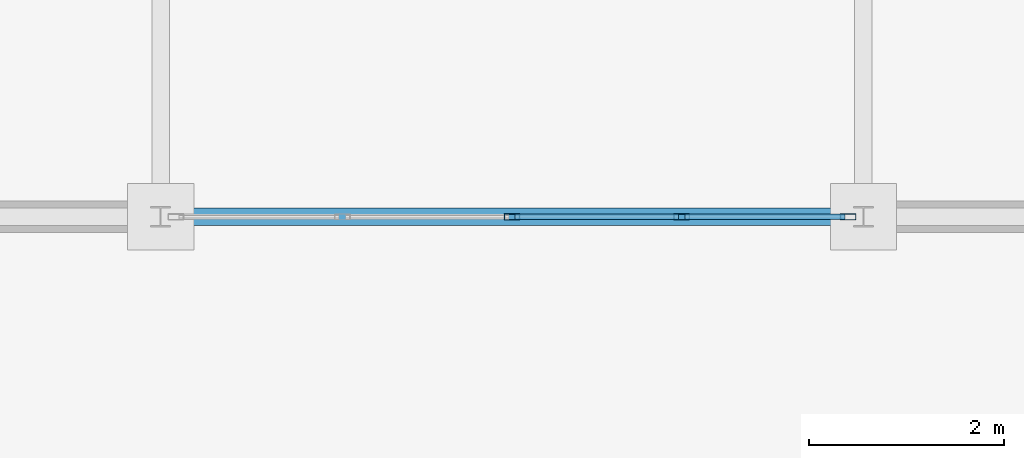
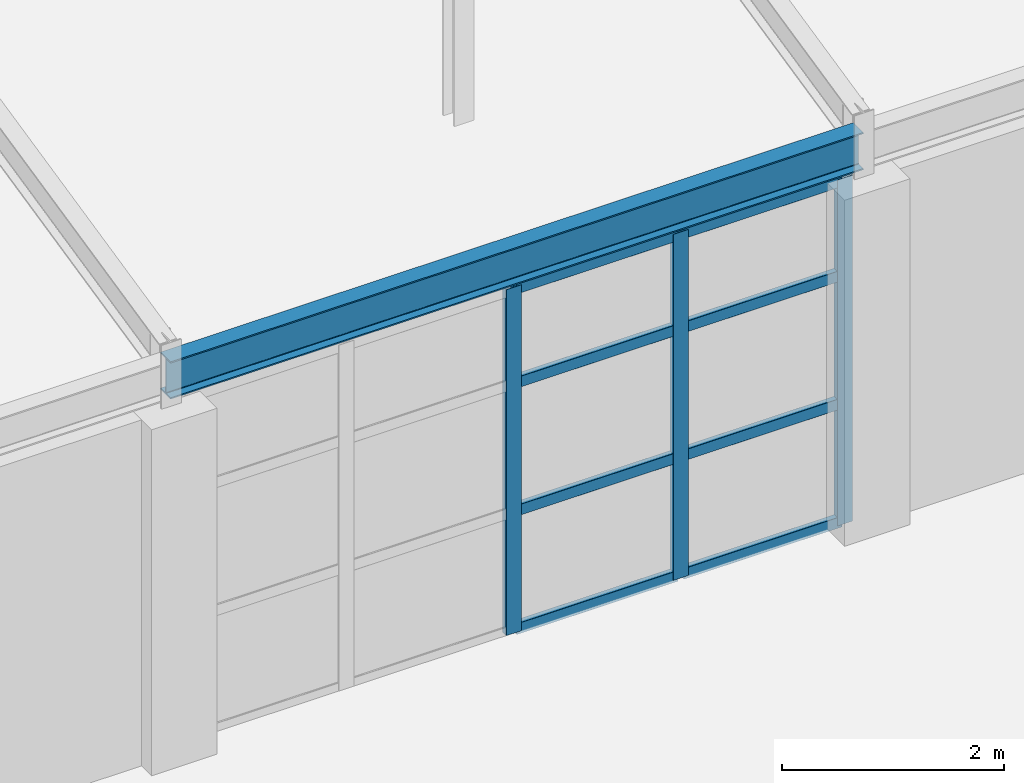
# One storey, part 50 of 101: 11 members, 1 beam, 1 element without a shape of its own.
"""IFC4 building model written with IfcOpenShell, lengths in metres."""

from ifc_helpers import new_model, si_unit, direction, frame, origin, origin_2d, place, context, subcontext, project, spatial, hollow_rectangle, i_section, extrude, material, layer, layer_set, material_profile, profile_set, type_object, element, aggregate, save


model = new_model("IFC4")

# Units and contexts
model_context = context("Model", 3, precision=1e-05, world=origin(), true_north=direction((0.0, 1.0)))
body_context = subcontext(model_context, "Body", "Model", "MODEL_VIEW")
ifc_project = project(units=[si_unit("LENGTHUNIT", "METRE"), si_unit("AREAUNIT", "SQUARE_METRE"), si_unit("VOLUMEUNIT", "CUBIC_METRE"), si_unit("PLANEANGLEUNIT", "RADIAN"), si_unit("MASSUNIT", "GRAM", prefix="KILO")], contexts=[model_context])

# Site, building, storey
site_placement = place(None, origin())
site = spatial("IfcSite", under=ifc_project, at=site_placement, CompositionType="ELEMENT")
building_placement = place(site_placement, origin())
building = spatial("IfcBuilding", under=site, at=building_placement, Name="Kemerveld Promenade Tramway Depot", CompositionType="ELEMENT")
storey_placement = place(building_placement, frame((0.0, 0.0, 9.89990234375)))
storey = spatial("IfcBuildingStorey", under=building, at=storey_placement, Name="L02", CompositionType="ELEMENT", Elevation=9.89990234375)

# Beam
ifc_material_1 = material(Name="Steel S355", Category="steel")
ifc_material_profile_1 = material_profile(ifc_material_1, i_section(OverallWidth=0.1787109375, OverallDepth=0.409423828125, WebThickness=0.0087890625, FlangeThickness=0.014404296875, FilletRadius=0.01025390625, at=origin_2d()), Name="406x178x67 UB")
ifc_profile_set_1 = profile_set([ifc_material_profile_1], Name="Steel S355")
beam_type = type_object("IfcBeamType", Name="BM-G07", PredefinedType="BEAM", material=ifc_profile_set_1)
beam_placement = place(storey_placement, frame((72.0, 7.199951171875, 4.0703125), z_axis=(1.0, 0.0, 0.0), x_axis=(0.0, 1.0, 0.0)))
element("IfcBeam", 1, at=beam_placement, inside=storey, type_object=beam_type, Name="BMX-L02-11-12-B", PredefinedType="BEAM", context=body_context, shape_type="SweptSolid", body=[
    extrude(i_section(OverallWidth=0.1787109375, OverallDepth=0.409423828125, WebThickness=0.0087890625, FlangeThickness=0.014404296875, FilletRadius=0.01025390625, at=origin_2d()), origin(), (0.0, 0.0, 1.0), 7.199951171875),
])

# Curtain wall, members
ifc_material_2 = material(Name="Bronze anodised aluminium and solar glass", Category="aluminium")
ifc_layer = layer(ifc_material_2, 0.159912109375)
ifc_layer_set = layer_set([ifc_layer], Name="CW-SYS-11")
curtain_wall_type = type_object("IfcCurtainWallType", Name="CW-SYS-11", PredefinedType="USERDEFINED", material=ifc_layer_set)
curtain_wall_placement = place(storey_placement, origin())
curtain_wall = element("IfcCurtainWall", 2, at=curtain_wall_placement, inside=storey, type_object=curtain_wall_type, Name="CW-L02-V4S-08", ObjectType="GLAZED_CURTAIN_WALL", PredefinedType="USERDEFINED")
ifc_material_3 = material(Name="Bronze anodised aluminium", Category="aluminium")
ifc_material_profile_2 = material_profile(ifc_material_3, hollow_rectangle(XDim=0.06494140625, YDim=0.159912109375, WallThickness=0.00390625, InnerFilletRadius=0.001953125, OuterFilletRadius=0.00390625, at=origin_2d()), Name="CW-MUL-160x65")
ifc_profile_set_2 = profile_set([ifc_material_profile_2], Name="Bronze anodised aluminium")
member_type_1 = type_object("IfcMemberType", Name="CW-MUL-A", PredefinedType="MULLION", material=ifc_profile_set_2)
member_1_placement = place(storey_placement, frame((79.042724609375, 7.199951171875, 0.0), z_axis=(0.0, 0.0, 1.0), x_axis=(0.0, -1.0, 0.0)))
member_1 = element("IfcMember", 3, at=member_1_placement, type_object=member_type_1, Name="CW11 mullion 1", PredefinedType="MULLION", context=body_context, shape_type="SweptSolid", body=[
    extrude(hollow_rectangle(XDim=0.06494140625, YDim=0.159912109375, WallThickness=0.00390625, InnerFilletRadius=0.001953125, OuterFilletRadius=0.00390625, at=origin_2d()), origin(), (0.0, 0.0, 1.0), 3.800048828125),
])
member_2_placement = place(storey_placement, frame((77.337646484375, 7.199951171875, 0.0), z_axis=(0.0, 0.0, 1.0), x_axis=(0.0, -1.0, 0.0)))
member_2 = element("IfcMember", 4, at=member_2_placement, type_object=member_type_1, Name="CW11 mullion 2", PredefinedType="MULLION", context=body_context, shape_type="SweptSolid", body=[
    extrude(hollow_rectangle(XDim=0.06494140625, YDim=0.159912109375, WallThickness=0.00390625, InnerFilletRadius=0.001953125, OuterFilletRadius=0.00390625, at=origin_2d()), origin(), (0.0, 0.0, 1.0), 3.800048828125),
])
member_3_placement = place(storey_placement, frame((75.60009765625, 7.199951171875, 0.0), z_axis=(0.0, 0.0, 1.0), x_axis=(0.0, -1.0, 0.0)))
member_3 = element("IfcMember", 5, at=member_3_placement, type_object=member_type_1, Name="CW11 mullion 3", PredefinedType="MULLION", context=body_context, shape_type="SweptSolid", body=[
    extrude(hollow_rectangle(XDim=0.06494140625, YDim=0.159912109375, WallThickness=0.00390625, InnerFilletRadius=0.001953125, OuterFilletRadius=0.00390625, at=origin_2d()), origin(), (0.0, 0.0, 1.0), 3.800048828125),
])
ifc_material_profile_3 = material_profile(ifc_material_3, hollow_rectangle(XDim=0.06005859375, YDim=0.1201171875, WallThickness=0.00390625, InnerFilletRadius=0.001953125, OuterFilletRadius=0.00390625, at=origin_2d()), Name="CW-TRN-120x60")
ifc_profile_set_3 = profile_set([ifc_material_profile_3], Name="Bronze anodised aluminium")
member_type_2 = type_object("IfcMemberType", Name="CW-TRN-A", PredefinedType="USERDEFINED", material=ifc_profile_set_3)
member_4_placement = place(storey_placement, frame((79.01025390625, 7.199951171875, 0.030029296875), z_axis=(-1.0, 0.0, 0.0), x_axis=(0.0, -1.0, 0.0)))
member_4 = element("IfcMember", 6, at=member_4_placement, type_object=member_type_2, Name="CW11 transom 1.1", ObjectType="TRANSOM", PredefinedType="USERDEFINED", context=body_context, shape_type="SweptSolid", body=[
    extrude(hollow_rectangle(XDim=0.06005859375, YDim=0.1201171875, WallThickness=0.00390625, InnerFilletRadius=0.001953125, OuterFilletRadius=0.00390625, at=origin_2d()), origin(), (0.0, 0.0, 1.0), 1.64013671875),
])
member_5_placement = place(storey_placement, frame((79.01025390625, 7.199951171875, 1.330078125), z_axis=(-1.0, 0.0, 0.0), x_axis=(0.0, -1.0, 0.0)))
member_5 = element("IfcMember", 7, at=member_5_placement, type_object=member_type_2, Name="CW11 transom 1.2", ObjectType="TRANSOM", PredefinedType="USERDEFINED", context=body_context, shape_type="SweptSolid", body=[
    extrude(hollow_rectangle(XDim=0.06005859375, YDim=0.1201171875, WallThickness=0.00390625, InnerFilletRadius=0.001953125, OuterFilletRadius=0.00390625, at=origin_2d()), origin(), (0.0, 0.0, 1.0), 1.64013671875),
])
member_6_placement = place(storey_placement, frame((79.01025390625, 7.199951171875, 2.736083984375), z_axis=(-1.0, 0.0, 0.0), x_axis=(0.0, -1.0, 0.0)))
member_6 = element("IfcMember", 8, at=member_6_placement, type_object=member_type_2, Name="CW11 transom 1.3", ObjectType="TRANSOM", PredefinedType="USERDEFINED", context=body_context, shape_type="SweptSolid", body=[
    extrude(hollow_rectangle(XDim=0.06005859375, YDim=0.1201171875, WallThickness=0.00390625, InnerFilletRadius=0.001953125, OuterFilletRadius=0.00390625, at=origin_2d()), origin(), (0.0, 0.0, 1.0), 1.64013671875),
])
member_7_placement = place(storey_placement, frame((79.01025390625, 7.199951171875, 3.77001953125), z_axis=(-1.0, 0.0, 0.0), x_axis=(0.0, -1.0, 0.0)))
member_7 = element("IfcMember", 9, at=member_7_placement, type_object=member_type_2, Name="CW11 transom 1.4", ObjectType="TRANSOM", PredefinedType="USERDEFINED", context=body_context, shape_type="SweptSolid", body=[
    extrude(hollow_rectangle(XDim=0.06005859375, YDim=0.1201171875, WallThickness=0.00390625, InnerFilletRadius=0.001953125, OuterFilletRadius=0.00390625, at=origin_2d()), origin(), (0.0, 0.0, 1.0), 1.64013671875),
])
member_8_placement = place(storey_placement, frame((77.30517578125, 7.199951171875, 0.030029296875), z_axis=(-1.0, 0.0, 0.0), x_axis=(0.0, -1.0, 0.0)))
member_8 = element("IfcMember", 10, at=member_8_placement, type_object=member_type_2, Name="CW11 transom 2.1", ObjectType="TRANSOM", PredefinedType="USERDEFINED", context=body_context, shape_type="SweptSolid", body=[
    extrude(hollow_rectangle(XDim=0.06005859375, YDim=0.1201171875, WallThickness=0.00390625, InnerFilletRadius=0.001953125, OuterFilletRadius=0.00390625, at=origin_2d()), origin(), (0.0, 0.0, 1.0), 1.672607421875),
])
member_9_placement = place(storey_placement, frame((77.30517578125, 7.199951171875, 1.330078125), z_axis=(-1.0, 0.0, 0.0), x_axis=(0.0, -1.0, 0.0)))
member_9 = element("IfcMember", 11, at=member_9_placement, type_object=member_type_2, Name="CW11 transom 2.2", ObjectType="TRANSOM", PredefinedType="USERDEFINED", context=body_context, shape_type="SweptSolid", body=[
    extrude(hollow_rectangle(XDim=0.06005859375, YDim=0.1201171875, WallThickness=0.00390625, InnerFilletRadius=0.001953125, OuterFilletRadius=0.00390625, at=origin_2d()), origin(), (0.0, 0.0, 1.0), 1.672607421875),
])
member_10_placement = place(storey_placement, frame((77.30517578125, 7.199951171875, 2.736083984375), z_axis=(-1.0, 0.0, 0.0), x_axis=(0.0, -1.0, 0.0)))
member_10 = element("IfcMember", 12, at=member_10_placement, type_object=member_type_2, Name="CW11 transom 2.3", ObjectType="TRANSOM", PredefinedType="USERDEFINED", context=body_context, shape_type="SweptSolid", body=[
    extrude(hollow_rectangle(XDim=0.06005859375, YDim=0.1201171875, WallThickness=0.00390625, InnerFilletRadius=0.001953125, OuterFilletRadius=0.00390625, at=origin_2d()), origin(), (0.0, 0.0, 1.0), 1.672607421875),
])
member_11_placement = place(storey_placement, frame((77.30517578125, 7.199951171875, 3.77001953125), z_axis=(-1.0, 0.0, 0.0), x_axis=(0.0, -1.0, 0.0)))
member_11 = element("IfcMember", 13, at=member_11_placement, type_object=member_type_2, Name="CW11 transom 2.4", ObjectType="TRANSOM", PredefinedType="USERDEFINED", context=body_context, shape_type="SweptSolid", body=[
    extrude(hollow_rectangle(XDim=0.06005859375, YDim=0.1201171875, WallThickness=0.00390625, InnerFilletRadius=0.001953125, OuterFilletRadius=0.00390625, at=origin_2d()), origin(), (0.0, 0.0, 1.0), 1.672607421875),
])
aggregate(curtain_wall, [member_1, member_2, member_3, member_4, member_5, member_6, member_7, member_8, member_9, member_10, member_11])

save(model, "model.ifc")
